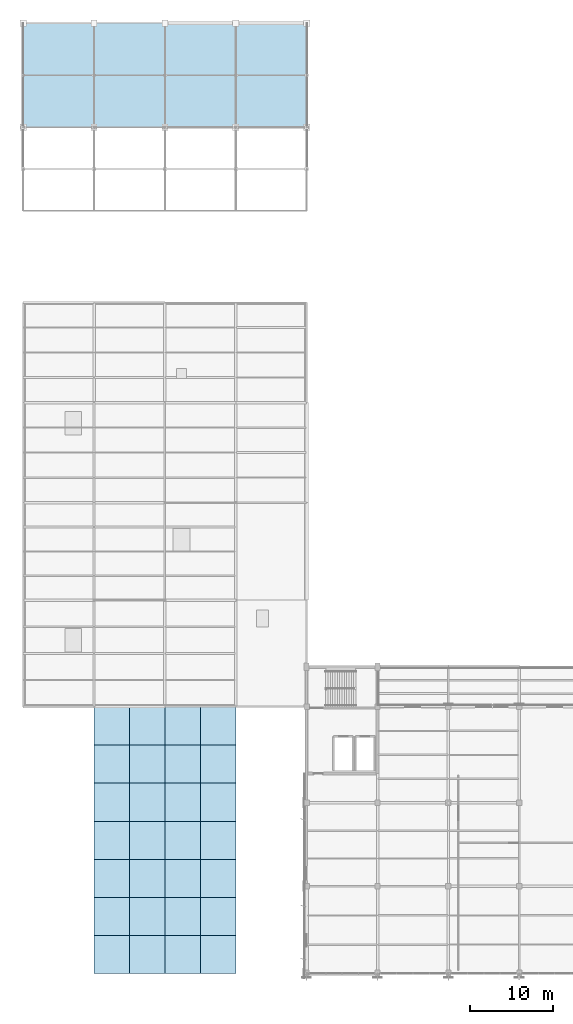
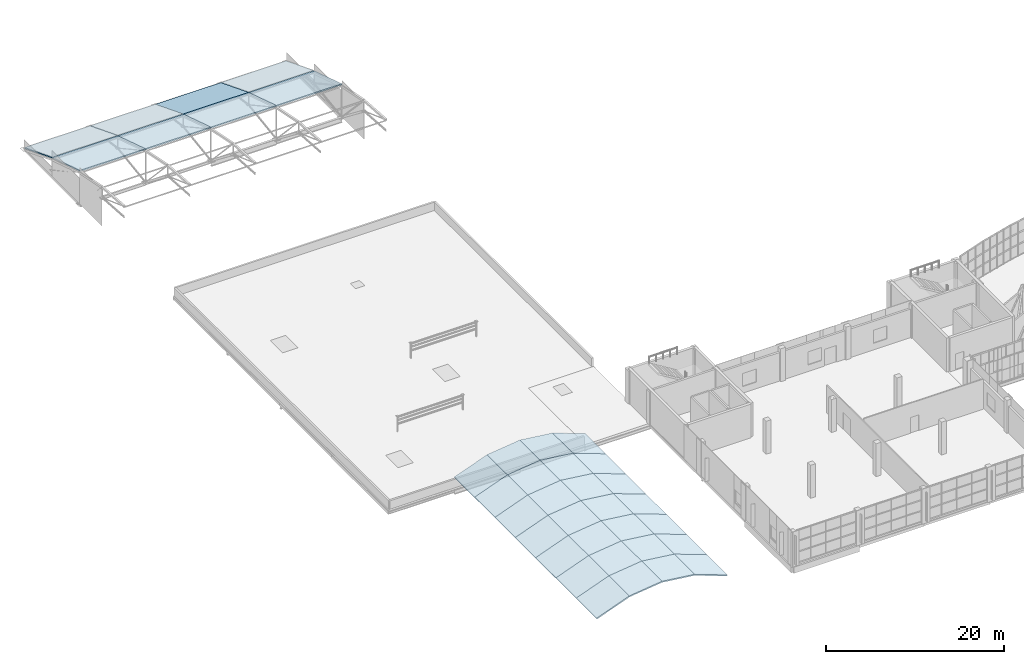
# One storey, part 57 of 66: 36 roofs.
"""IFC4 building model written with IfcOpenShell, lengths in metres."""

from ifc_helpers import new_model, si_unit, direction, frame, origin, place, context, subcontext, project, spatial, polyline, outline, extrude, material, layer, layer_set, type_object, element, save


model = new_model("IFC4")

# Units and contexts
model_context = context("Model", 3, precision=1e-05, world=origin(), true_north=direction((0.0, 1.0)))
body_context = subcontext(model_context, "Body", "Model", "MODEL_VIEW")
ifc_project = project(units=[si_unit("LENGTHUNIT", "METRE"), si_unit("AREAUNIT", "SQUARE_METRE"), si_unit("VOLUMEUNIT", "CUBIC_METRE"), si_unit("PLANEANGLEUNIT", "RADIAN"), si_unit("MASSUNIT", "GRAM", prefix="KILO")], contexts=[model_context])

# Site, building, storey
site_placement = place(None, origin())
site = spatial("IfcSite", under=ifc_project, at=site_placement, CompositionType="ELEMENT")
building_placement = place(site_placement, origin())
building = spatial("IfcBuilding", under=site, at=building_placement, Name="Solvikara Media Centre", CompositionType="ELEMENT")
storey_placement = place(building_placement, frame((0.0, 0.0, 19.800048828125)))
storey = spatial("IfcBuildingStorey", under=building, at=storey_placement, Name="L04", CompositionType="ELEMENT", Elevation=19.800048828125)

# Roofs
ifc_material = material(Name="Insulated standing-seam aluminium-zinc acoustic roofing", Category="aluminium")
ifc_layer_1 = layer(ifc_material, 0.159912109375)
ifc_layer_set_1 = layer_set([ifc_layer_1], Name="Insulated standing-seam aluminium-zinc acoustic roofing")
roof_type_1 = type_object("IfcRoofType", Name="RF-01", PredefinedType="BARREL_ROOF", material=ifc_layer_set_1)
roof_1_placement = place(storey_placement, frame((8.5, 0.0, 1.5), z_axis=(-0.34748452261, 0.0, 0.93768571843), x_axis=(0.93768571843, 0.0, 0.34748452261)))
element("IfcRoof", 1, at=roof_1_placement, inside=storey, type_object=roof_type_1, Name="RF-GC-00-02", PredefinedType="BARREL_ROOF", context=body_context, shape_type="SweptSolid", body=[
    extrude(outline(polyline([(0.0, 0.0), (4.532435459418086, 0.0), (4.532435459418086, 4.571044921875), (0.0, 4.571044921875), (0.0, 0.0)])), origin(), (0.0, 0.0, -1.0), 0.159912109375),
])
for number, where, z_axis, x_axis, name in (
    (2, (12.75, 0.0, 3.074951171875), (-0.122575101536, 0.0, 0.992459240716), (0.992459240716, 0.0, 0.122575101536), "RF-GC-00-03"),
    (3, (17.0, 0.0, 3.599853515625), (0.122575101536, 0.0, 0.992459240716), (0.992459240716, 0.0, -0.122575101536), "RF-GC-00-04"),
):
    element("IfcRoof", number, at=place(storey_placement, frame(where, z_axis=z_axis, x_axis=x_axis)), inside=storey, type_object=roof_type_1, Name=name, PredefinedType="BARREL_ROOF", context=body_context, shape_type="SweptSolid", body=[
        extrude(outline(polyline([(0.0, 0.0), (4.282291731126482, 0.0), (4.282291731126482, 4.571044921875001), (0.0, 4.571044921875001), (0.0, 0.0)])), origin(), (0.0, 0.0, -1.0), 0.159912109375),
    ])
roof_2_placement = place(storey_placement, frame((21.25, 0.0, 3.074951171875), z_axis=(0.34748452261, 0.0, 0.93768571843), x_axis=(0.93768571843, 0.0, -0.34748452261)))
element("IfcRoof", 4, at=roof_2_placement, inside=storey, type_object=roof_type_1, Name="RF-GC-00-05", PredefinedType="BARREL_ROOF", context=body_context, shape_type="SweptSolid", body=[
    extrude(outline(polyline([(0.0, 0.0), (4.532435459418086, 0.0), (4.532435459418086, 4.571044921875), (0.0, 4.571044921875), (0.0, 0.0)])), origin(), (0.0, 0.0, -1.0), 0.159912109375),
])
roof_3_placement = place(storey_placement, frame((8.5, 4.571044921875, 1.5), z_axis=(-0.34748452261, 0.0, 0.93768571843), x_axis=(0.93768571843, 0.0, 0.34748452261)))
element("IfcRoof", 5, at=roof_3_placement, inside=storey, type_object=roof_type_1, Name="RF-GC-01-02", PredefinedType="BARREL_ROOF", context=body_context, shape_type="SweptSolid", body=[
    extrude(outline(polyline([(0.0, 0.0), (4.532435459418086, 0.0), (4.532435459418086, 4.572021484375), (0.0, 4.572021484375), (0.0, 0.0)])), origin(), (0.0, 0.0, -1.0), 0.159912109375),
])
for number, where, z_axis, x_axis, name in (
    (6, (12.75, 4.571044921875, 3.074951171875), (-0.122575101536, 0.0, 0.992459240716), (0.992459240716, 0.0, 0.122575101536), "RF-GC-01-03"),
    (7, (17.0, 4.571044921875, 3.599853515625), (0.122575101536, 0.0, 0.992459240716), (0.992459240716, 0.0, -0.122575101536), "RF-GC-01-04"),
):
    element("IfcRoof", number, at=place(storey_placement, frame(where, z_axis=z_axis, x_axis=x_axis)), inside=storey, type_object=roof_type_1, Name=name, PredefinedType="BARREL_ROOF", context=body_context, shape_type="SweptSolid", body=[
        extrude(outline(polyline([(0.0, 0.0), (4.282291731126482, 0.0), (4.282291731126482, 4.572021484375), (0.0, 4.572021484375), (0.0, 0.0)])), origin(), (0.0, 0.0, -1.0), 0.159912109375),
    ])
roof_4_placement = place(storey_placement, frame((21.25, 4.571044921875, 3.074951171875), z_axis=(0.34748452261, 0.0, 0.93768571843), x_axis=(0.93768571843, 0.0, -0.34748452261)))
element("IfcRoof", 8, at=roof_4_placement, inside=storey, type_object=roof_type_1, Name="RF-GC-01-05", PredefinedType="BARREL_ROOF", context=body_context, shape_type="SweptSolid", body=[
    extrude(outline(polyline([(0.0, 0.0), (4.532435459418086, 0.0), (4.532435459418086, 4.572021484375), (0.0, 4.572021484375), (0.0, 0.0)])), origin(), (0.0, 0.0, -1.0), 0.159912109375),
])
roof_5_placement = place(storey_placement, frame((8.5, 9.14306640625, 1.5), z_axis=(-0.34748452261, 0.0, 0.93768571843), x_axis=(0.93768571843, 0.0, 0.34748452261)))
element("IfcRoof", 9, at=roof_5_placement, inside=storey, type_object=roof_type_1, Name="RF-GC-02-02", PredefinedType="BARREL_ROOF", context=body_context, shape_type="SweptSolid", body=[
    extrude(outline(polyline([(0.0, 0.0), (4.532435459418086, 0.0), (4.532435459418086, 4.571044921875), (0.0, 4.571044921875), (0.0, 0.0)])), origin(), (0.0, 0.0, -1.0), 0.159912109375),
])
for number, where, z_axis, x_axis, name in (
    (10, (12.75, 9.14306640625, 3.074951171875), (-0.122575101536, 0.0, 0.992459240716), (0.992459240716, 0.0, 0.122575101536), "RF-GC-02-03"),
    (11, (17.0, 9.14306640625, 3.599853515625), (0.122575101536, 0.0, 0.992459240716), (0.992459240716, 0.0, -0.122575101536), "RF-GC-02-04"),
):
    element("IfcRoof", number, at=place(storey_placement, frame(where, z_axis=z_axis, x_axis=x_axis)), inside=storey, type_object=roof_type_1, Name=name, PredefinedType="BARREL_ROOF", context=body_context, shape_type="SweptSolid", body=[
        extrude(outline(polyline([(0.0, 0.0), (4.282291731126482, 0.0), (4.282291731126482, 4.571044921875001), (0.0, 4.571044921875001), (0.0, 0.0)])), origin(), (0.0, 0.0, -1.0), 0.159912109375),
    ])
roof_6_placement = place(storey_placement, frame((21.25, 9.14306640625, 3.074951171875), z_axis=(0.34748452261, 0.0, 0.93768571843), x_axis=(0.93768571843, 0.0, -0.34748452261)))
element("IfcRoof", 12, at=roof_6_placement, inside=storey, type_object=roof_type_1, Name="RF-GC-02-05", PredefinedType="BARREL_ROOF", context=body_context, shape_type="SweptSolid", body=[
    extrude(outline(polyline([(0.0, 0.0), (4.532435459418086, 0.0), (4.532435459418086, 4.571044921875), (0.0, 4.571044921875), (0.0, 0.0)])), origin(), (0.0, 0.0, -1.0), 0.159912109375),
])
roof_7_placement = place(storey_placement, frame((8.5, 13.714111328125, 1.5), z_axis=(-0.34748452261, 0.0, 0.93768571843), x_axis=(0.93768571843, 0.0, 0.34748452261)))
element("IfcRoof", 13, at=roof_7_placement, inside=storey, type_object=roof_type_1, Name="RF-GC-03-02", PredefinedType="BARREL_ROOF", context=body_context, shape_type="SweptSolid", body=[
    extrude(outline(polyline([(0.0, 0.0), (4.532435459418086, 0.0), (4.532435459418086, 4.57177734375), (0.0, 4.57177734375), (0.0, 0.0)])), origin(), (0.0, 0.0, -1.0), 0.159912109375),
])
for number, where, z_axis, x_axis, name in (
    (14, (12.75, 13.714111328125, 3.074951171875), (-0.122575101536, 0.0, 0.992459240716), (0.992459240716, 0.0, 0.122575101536), "RF-GC-03-03"),
    (15, (17.0, 13.714111328125, 3.599853515625), (0.122575101536, 0.0, 0.992459240716), (0.992459240716, 0.0, -0.122575101536), "RF-GC-03-04"),
):
    element("IfcRoof", number, at=place(storey_placement, frame(where, z_axis=z_axis, x_axis=x_axis)), inside=storey, type_object=roof_type_1, Name=name, PredefinedType="BARREL_ROOF", context=body_context, shape_type="SweptSolid", body=[
        extrude(outline(polyline([(0.0, 0.0), (4.282291731126482, 0.0), (4.282291731126482, 4.57177734375), (0.0, 4.57177734375), (0.0, 0.0)])), origin(), (0.0, 0.0, -1.0), 0.159912109375),
    ])
roof_8_placement = place(storey_placement, frame((21.25, 13.714111328125, 3.074951171875), z_axis=(0.34748452261, 0.0, 0.93768571843), x_axis=(0.93768571843, 0.0, -0.34748452261)))
element("IfcRoof", 16, at=roof_8_placement, inside=storey, type_object=roof_type_1, Name="RF-GC-03-05", PredefinedType="BARREL_ROOF", context=body_context, shape_type="SweptSolid", body=[
    extrude(outline(polyline([(0.0, 0.0), (4.532435459418086, 0.0), (4.532435459418086, 4.57177734375), (0.0, 4.57177734375), (0.0, 0.0)])), origin(), (0.0, 0.0, -1.0), 0.159912109375),
])
roof_9_placement = place(storey_placement, frame((8.5, 18.285888671875, 1.5), z_axis=(-0.34748452261, 0.0, 0.93768571843), x_axis=(0.93768571843, 0.0, 0.34748452261)))
element("IfcRoof", 17, at=roof_9_placement, inside=storey, type_object=roof_type_1, Name="RF-GC-04-02", PredefinedType="BARREL_ROOF", context=body_context, shape_type="SweptSolid", body=[
    extrude(outline(polyline([(0.0, 0.0), (4.532435459418086, 0.0), (4.532435459418086, 4.571044921875), (0.0, 4.571044921875), (0.0, 0.0)])), origin(), (0.0, 0.0, -1.0), 0.159912109375),
])
for number, where, z_axis, x_axis, name in (
    (18, (12.75, 18.285888671875, 3.074951171875), (-0.122575101536, 0.0, 0.992459240716), (0.992459240716, 0.0, 0.122575101536), "RF-GC-04-03"),
    (19, (17.0, 18.285888671875, 3.599853515625), (0.122575101536, 0.0, 0.992459240716), (0.992459240716, 0.0, -0.122575101536), "RF-GC-04-04"),
):
    element("IfcRoof", number, at=place(storey_placement, frame(where, z_axis=z_axis, x_axis=x_axis)), inside=storey, type_object=roof_type_1, Name=name, PredefinedType="BARREL_ROOF", context=body_context, shape_type="SweptSolid", body=[
        extrude(outline(polyline([(0.0, 0.0), (4.282291731126482, 0.0), (4.282291731126482, 4.571044921875001), (0.0, 4.571044921875001), (0.0, 0.0)])), origin(), (0.0, 0.0, -1.0), 0.159912109375),
    ])
roof_10_placement = place(storey_placement, frame((21.25, 18.285888671875, 3.074951171875), z_axis=(0.34748452261, 0.0, 0.93768571843), x_axis=(0.93768571843, 0.0, -0.34748452261)))
element("IfcRoof", 20, at=roof_10_placement, inside=storey, type_object=roof_type_1, Name="RF-GC-04-05", PredefinedType="BARREL_ROOF", context=body_context, shape_type="SweptSolid", body=[
    extrude(outline(polyline([(0.0, 0.0), (4.532435459418086, 0.0), (4.532435459418086, 4.571044921875), (0.0, 4.571044921875), (0.0, 0.0)])), origin(), (0.0, 0.0, -1.0), 0.159912109375),
])
roof_11_placement = place(storey_placement, frame((8.5, 22.85693359375, 1.5), z_axis=(-0.34748452261, 0.0, 0.93768571843), x_axis=(0.93768571843, 0.0, 0.34748452261)))
element("IfcRoof", 21, at=roof_11_placement, inside=storey, type_object=roof_type_1, Name="RF-GC-05-02", PredefinedType="BARREL_ROOF", context=body_context, shape_type="SweptSolid", body=[
    extrude(outline(polyline([(0.0, 0.0), (4.532435459418086, 0.0), (4.532435459418086, 4.572021484375), (0.0, 4.572021484375), (0.0, 0.0)])), origin(), (0.0, 0.0, -1.0), 0.159912109375),
])
for number, where, z_axis, x_axis, name in (
    (22, (12.75, 22.85693359375, 3.074951171875), (-0.122575101536, 0.0, 0.992459240716), (0.992459240716, 0.0, 0.122575101536), "RF-GC-05-03"),
    (23, (17.0, 22.85693359375, 3.599853515625), (0.122575101536, 0.0, 0.992459240716), (0.992459240716, 0.0, -0.122575101536), "RF-GC-05-04"),
):
    element("IfcRoof", number, at=place(storey_placement, frame(where, z_axis=z_axis, x_axis=x_axis)), inside=storey, type_object=roof_type_1, Name=name, PredefinedType="BARREL_ROOF", context=body_context, shape_type="SweptSolid", body=[
        extrude(outline(polyline([(0.0, 0.0), (4.282291731126482, 0.0), (4.282291731126482, 4.572021484375), (0.0, 4.572021484375), (0.0, 0.0)])), origin(), (0.0, 0.0, -1.0), 0.159912109375),
    ])
roof_12_placement = place(storey_placement, frame((21.25, 22.85693359375, 3.074951171875), z_axis=(0.34748452261, 0.0, 0.93768571843), x_axis=(0.93768571843, 0.0, -0.34748452261)))
element("IfcRoof", 24, at=roof_12_placement, inside=storey, type_object=roof_type_1, Name="RF-GC-05-05", PredefinedType="BARREL_ROOF", context=body_context, shape_type="SweptSolid", body=[
    extrude(outline(polyline([(0.0, 0.0), (4.532435459418086, 0.0), (4.532435459418086, 4.572021484375), (0.0, 4.572021484375), (0.0, 0.0)])), origin(), (0.0, 0.0, -1.0), 0.159912109375),
])
roof_13_placement = place(storey_placement, frame((8.5, 27.428955078125, 1.5), z_axis=(-0.34748452261, 0.0, 0.93768571843), x_axis=(0.93768571843, 0.0, 0.34748452261)))
element("IfcRoof", 25, at=roof_13_placement, inside=storey, type_object=roof_type_1, Name="RF-GC-06-02", PredefinedType="BARREL_ROOF", context=body_context, shape_type="SweptSolid", body=[
    extrude(outline(polyline([(0.0, 0.0), (4.532435459418086, 0.0), (4.532435459418086, 4.571044921875), (0.0, 4.571044921875), (0.0, 0.0)])), origin(), (0.0, 0.0, -1.0), 0.159912109375),
])
for number, where, z_axis, x_axis, name in (
    (26, (12.75, 27.428955078125, 3.074951171875), (-0.122575101536, 0.0, 0.992459240716), (0.992459240716, 0.0, 0.122575101536), "RF-GC-06-03"),
    (27, (17.0, 27.428955078125, 3.599853515625), (0.122575101536, 0.0, 0.992459240716), (0.992459240716, 0.0, -0.122575101536), "RF-GC-06-04"),
):
    element("IfcRoof", number, at=place(storey_placement, frame(where, z_axis=z_axis, x_axis=x_axis)), inside=storey, type_object=roof_type_1, Name=name, PredefinedType="BARREL_ROOF", context=body_context, shape_type="SweptSolid", body=[
        extrude(outline(polyline([(0.0, 0.0), (4.282291731126482, 0.0), (4.282291731126482, 4.571044921875001), (0.0, 4.571044921875001), (0.0, 0.0)])), origin(), (0.0, 0.0, -1.0), 0.159912109375),
    ])
roof_14_placement = place(storey_placement, frame((21.25, 27.428955078125, 3.074951171875), z_axis=(0.34748452261, 0.0, 0.93768571843), x_axis=(0.93768571843, 0.0, -0.34748452261)))
element("IfcRoof", 28, at=roof_14_placement, inside=storey, type_object=roof_type_1, Name="RF-GC-06-05", PredefinedType="BARREL_ROOF", context=body_context, shape_type="SweptSolid", body=[
    extrude(outline(polyline([(0.0, 0.0), (4.532435459418086, 0.0), (4.532435459418086, 4.571044921875), (0.0, 4.571044921875), (0.0, 0.0)])), origin(), (0.0, 0.0, -1.0), 0.159912109375),
])
ifc_layer_2 = layer(ifc_material, 0.139892578125)
ifc_layer_set_2 = layer_set([ifc_layer_2], Name="Insulated standing-seam aluminium-zinc acoustic roofing")
roof_type_2 = type_object("IfcRoofType", Name="RF-03", PredefinedType="SHED_ROOF", material=ifc_layer_set_2)
roof_15_placement = place(storey_placement, frame((0.0, 114.0, 0.0), z_axis=(0.0, 0.365080730587, 0.930975864432), x_axis=(1.0, 0.0, 0.0)))
element("IfcRoof", 29, at=roof_15_placement, inside=storey, type_object=roof_type_2, Name="RF-AM-00-00", PredefinedType="SHED_ROOF", context=body_context, shape_type="SweptSolid", body=[
    extrude(outline(polyline([(0.0, 0.0), (8.5, 0.0), (8.5, -6.713385640578721), (0.0, -6.713385640578721), (0.0, 0.0)])), origin(), (0.0, 0.0, -1.0), 0.139892578125),
])
roof_16_placement = place(storey_placement, frame((0.0, 107.75, 2.450927734375), z_axis=(0.0, 0.303661410293, 0.952780010233), x_axis=(1.0, 0.0, 0.0)))
element("IfcRoof", 30, at=roof_16_placement, inside=storey, type_object=roof_type_2, Name="RF-AM-00-01", PredefinedType="SHED_ROOF", context=body_context, shape_type="SweptSolid", body=[
    extrude(outline(polyline([(0.0, 0.0), (8.5, 0.0), (8.5, -6.559751393685447), (0.0, -6.559751393685447), (0.0, 0.0)])), origin(), (0.0, 0.0, -1.0), 0.139892578125),
])
roof_17_placement = place(storey_placement, frame((8.5, 114.0, 0.0), z_axis=(0.0, 0.365080730587, 0.930975864432), x_axis=(1.0, 0.0, 0.0)))
element("IfcRoof", 31, at=roof_17_placement, inside=storey, type_object=roof_type_2, Name="RF-AM-01-00", PredefinedType="SHED_ROOF", context=body_context, shape_type="SweptSolid", body=[
    extrude(outline(polyline([(0.0, 0.0), (8.5, 0.0), (8.5, -6.713385640578721), (0.0, -6.713385640578721), (0.0, 0.0)])), origin(), (0.0, 0.0, -1.0), 0.139892578125),
])
roof_18_placement = place(storey_placement, frame((8.5, 107.75, 2.450927734375), z_axis=(0.0, 0.303661410293, 0.952780010233), x_axis=(1.0, 0.0, 0.0)))
element("IfcRoof", 32, at=roof_18_placement, inside=storey, type_object=roof_type_2, Name="RF-AM-01-01", PredefinedType="SHED_ROOF", context=body_context, shape_type="SweptSolid", body=[
    extrude(outline(polyline([(0.0, 0.0), (8.5, 0.0), (8.5, -6.559751393685447), (0.0, -6.559751393685447), (0.0, 0.0)])), origin(), (0.0, 0.0, -1.0), 0.139892578125),
])
roof_19_placement = place(storey_placement, frame((17.0, 114.0, 0.0), z_axis=(0.0, 0.365080730587, 0.930975864432), x_axis=(1.0, 0.0, 0.0)))
element("IfcRoof", 33, at=roof_19_placement, inside=storey, type_object=roof_type_2, Name="RF-AM-02-00", PredefinedType="SHED_ROOF", context=body_context, shape_type="SweptSolid", body=[
    extrude(outline(polyline([(0.0, 0.0), (8.5, 0.0), (8.5, -6.713385640578721), (0.0, -6.713385640578721), (0.0, 0.0)])), origin(), (0.0, 0.0, -1.0), 0.139892578125),
])
roof_20_placement = place(storey_placement, frame((17.0, 107.75, 2.450927734375), z_axis=(0.0, 0.303661410293, 0.952780010233), x_axis=(1.0, 0.0, 0.0)))
element("IfcRoof", 34, at=roof_20_placement, inside=storey, type_object=roof_type_2, Name="RF-AM-02-01", PredefinedType="SHED_ROOF", context=body_context, shape_type="SweptSolid", body=[
    extrude(outline(polyline([(0.0, 0.0), (8.5, 0.0), (8.5, -6.559751393685447), (0.0, -6.559751393685447), (0.0, 0.0)])), origin(), (0.0, 0.0, -1.0), 0.139892578125),
])
roof_21_placement = place(storey_placement, frame((25.5, 114.0, 0.0), z_axis=(0.0, 0.365080730587, 0.930975864432), x_axis=(1.0, 0.0, 0.0)))
element("IfcRoof", 35, at=roof_21_placement, inside=storey, type_object=roof_type_2, Name="RF-AM-03-00", PredefinedType="SHED_ROOF", context=body_context, shape_type="SweptSolid", body=[
    extrude(outline(polyline([(0.0, 0.0), (8.5, 0.0), (8.5, -6.713385640578721), (0.0, -6.713385640578721), (0.0, 0.0)])), origin(), (0.0, 0.0, -1.0), 0.139892578125),
])
roof_22_placement = place(storey_placement, frame((25.5, 107.75, 2.450927734375), z_axis=(0.0, 0.303661410293, 0.952780010233), x_axis=(1.0, 0.0, 0.0)))
element("IfcRoof", 36, at=roof_22_placement, inside=storey, type_object=roof_type_2, Name="RF-AM-03-01", PredefinedType="SHED_ROOF", context=body_context, shape_type="SweptSolid", body=[
    extrude(outline(polyline([(0.0, 0.0), (8.5, 0.0), (8.5, -6.559751393685447), (0.0, -6.559751393685447), (0.0, 0.0)])), origin(), (0.0, 0.0, -1.0), 0.139892578125),
])

save(model, "model.ifc")
